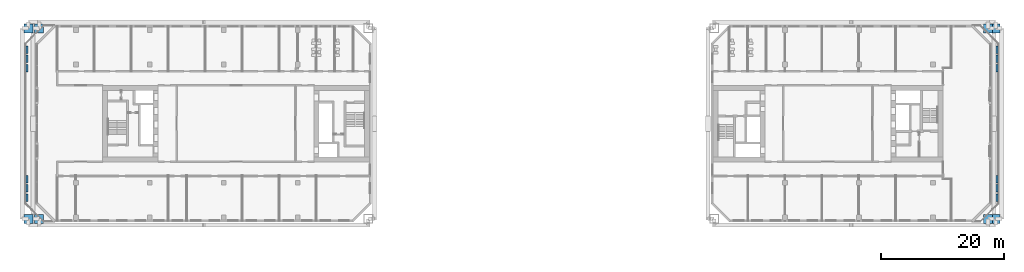
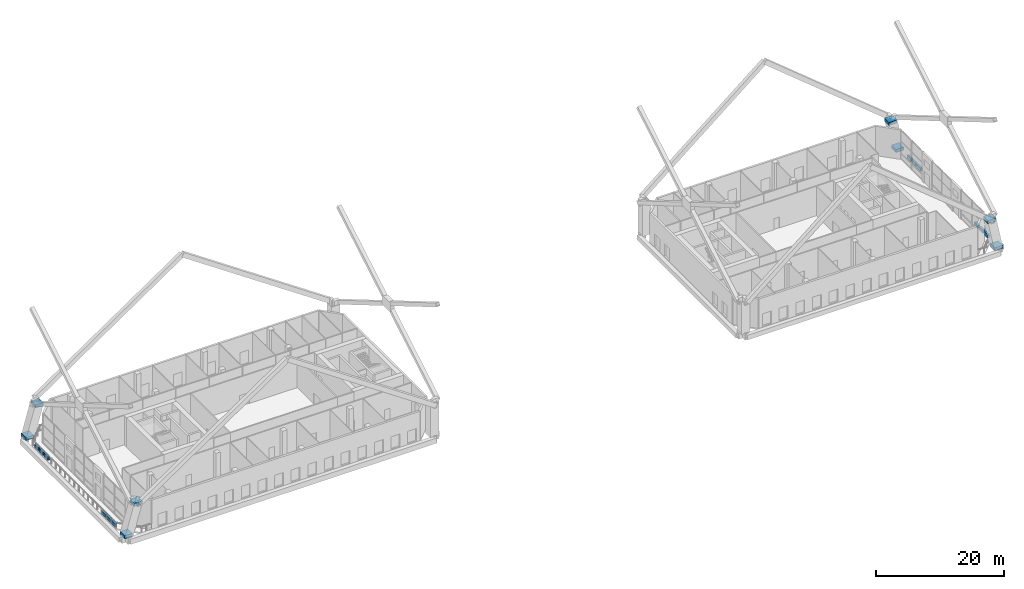
# One storey, part 17 of 20: 20 discrete accessories.
"""IFC4 building model written with IfcOpenShell, lengths in metres."""

from ifc_helpers import new_model, si_unit, direction, frame, origin, origin_2d, place, context, subcontext, project, spatial, rectangle, extrude, material, type_object, element, save


model = new_model("IFC4")

# Units and contexts
model_context = context("Model", 3, precision=1e-05, world=origin(), true_north=direction((0.0, 1.0)))
body_context = subcontext(model_context, "Body", "Model", "MODEL_VIEW")
ifc_project = project(units=[si_unit("LENGTHUNIT", "METRE"), si_unit("AREAUNIT", "SQUARE_METRE"), si_unit("VOLUMEUNIT", "CUBIC_METRE"), si_unit("PLANEANGLEUNIT", "RADIAN"), si_unit("MASSUNIT", "GRAM", prefix="KILO")], contexts=[model_context])

# Site, building, storey
site_placement = place(None, origin())
site = spatial("IfcSite", under=ifc_project, at=site_placement, CompositionType="ELEMENT")
building_placement = place(site_placement, origin())
building = spatial("IfcBuilding", under=site, at=building_placement, Name="Tuart Gate Housing", CompositionType="ELEMENT")
storey_placement = place(building_placement, frame((0.0, 0.0, 38.10009765625)))
storey = spatial("IfcBuildingStorey", under=building, at=storey_placement, Name="L10", CompositionType="ELEMENT", Elevation=38.10009765625)

# Discrete accessories
ifc_material = material(Name="Brick planter with soil", Category="masonry")
discrete_accessory_type = type_object("IfcDiscreteAccessoryType", Name="PLANTER", PredefinedType="USERDEFINED", material=ifc_material)
for number, where, z_axis, x_axis, name in (
    (1, (20.074951171875, 58.0, -0.000244140625), (0.0, 0.0, 1.0), (1.0, 0.0, 0.0), "PLANTER"),
    (2, (20.074951171875, 59.5, -0.000244140625), (0.0, 0.0, 1.0), (1.0, 0.0, 0.0), "PLANTER"),
    (3, (20.074951171875, 61.0, -0.000244140625), (0.0, 0.0, 1.0), (1.0, 0.0, 0.0), "PLANTER"),
    (4, (20.074951171875, 79.0, -0.000244140625), (0.0, 0.0, 1.0), (1.0, 0.0, 0.0), "PLANTER"),
    (5, (20.074951171875, 80.5, -0.000244140625), (0.0, 0.0, 1.0), (1.0, 0.0, 0.0), "PLANTER"),
    (6, (20.074951171875, 82.0, -0.000244140625), (0.0, 0.0, 1.0), (1.0, 0.0, 0.0), "PLANTER"),
    (7, (177.425048828125, 58.0, -0.000244140625), (0.0, 0.0, 1.0), (1.0, 0.0, 0.0), "PLANTER"),
    (8, (177.425048828125, 59.5, -0.000244140625), (0.0, 0.0, 1.0), (1.0, 0.0, 0.0), "PLANTER"),
    (9, (177.425048828125, 61.0, -0.000244140625), (0.0, 0.0, 1.0), (1.0, 0.0, 0.0), "PLANTER"),
    (10, (177.425048828125, 79.0, -0.000244140625), (0.0, 0.0, 1.0), (1.0, 0.0, 0.0), "PLANTER"),
    (11, (177.425048828125, 80.5, -0.000244140625), (0.0, 0.0, 1.0), (1.0, 0.0, 0.0), "PLANTER"),
    (12, (177.425048828125, 82.0, -0.000244140625), (0.0, 0.0, 1.0), (1.0, 0.0, 0.0), "PLANTER"),
):
    element("IfcDiscreteAccessory", number, at=place(storey_placement, frame(where, z_axis=z_axis, x_axis=x_axis)), inside=storey, type_object=discrete_accessory_type, Name=name, ObjectType="PLANTER", PredefinedType="USERDEFINED", context=body_context, shape_type="SweptSolid", body=[
        extrude(rectangle(XDim=0.35009765625, YDim=1.199951171875, at=origin_2d()), origin(), (0.0, 0.0, 1.0), 0.60009765625),
    ])
for number, where, z_axis, x_axis, name in (
    (13, (20.300048828125, 54.550048828125, -0.000244140625), (0.0, 0.0, 1.0), (1.0, 0.0, 0.0), "Mega column node A south-west foot L10"),
    (14, (22.050048828125, 54.550048828125, 5.599853515625), (0.0, 0.0, 1.0), (1.0, 0.0, 0.0), "Mega column node A south-west head L10"),
    (15, (20.300048828125, 85.449951171875, -0.000244140625), (0.0, 0.0, 1.0), (1.0, 0.0, 0.0), "Mega column node A north-west foot L10"),
    (16, (22.050048828125, 85.449951171875, 5.599853515625), (0.0, 0.0, 1.0), (1.0, 0.0, 0.0), "Mega column node A north-west head L10"),
    (17, (177.199951171875, 54.550048828125, -0.000244140625), (0.0, 0.0, 1.0), (1.0, 0.0, 0.0), "Mega column node B south-east foot L10"),
    (18, (175.949951171875, 54.550048828125, 5.599853515625), (0.0, 0.0, 1.0), (1.0, 0.0, 0.0), "Mega column node B south-east head L10"),
    (19, (177.199951171875, 85.449951171875, -0.000244140625), (0.0, 0.0, 1.0), (1.0, 0.0, 0.0), "Mega column node B north-east foot L10"),
    (20, (175.949951171875, 85.449951171875, 5.599853515625), (0.0, 0.0, 1.0), (1.0, 0.0, 0.0), "Mega column node B north-east head L10"),
):
    element("IfcDiscreteAccessory", number, at=place(storey_placement, frame(where, z_axis=z_axis, x_axis=x_axis)), inside=storey, Name=name, ObjectType="Mega column node", PredefinedType="USERDEFINED", context=body_context, shape_type="SweptSolid", body=[
        extrude(rectangle(XDim=1.43994140625, YDim=1.43994140625, at=origin_2d()), origin(), (0.0, 0.0, 1.0), 0.60009765625),
    ])

save(model, "model.ifc")
